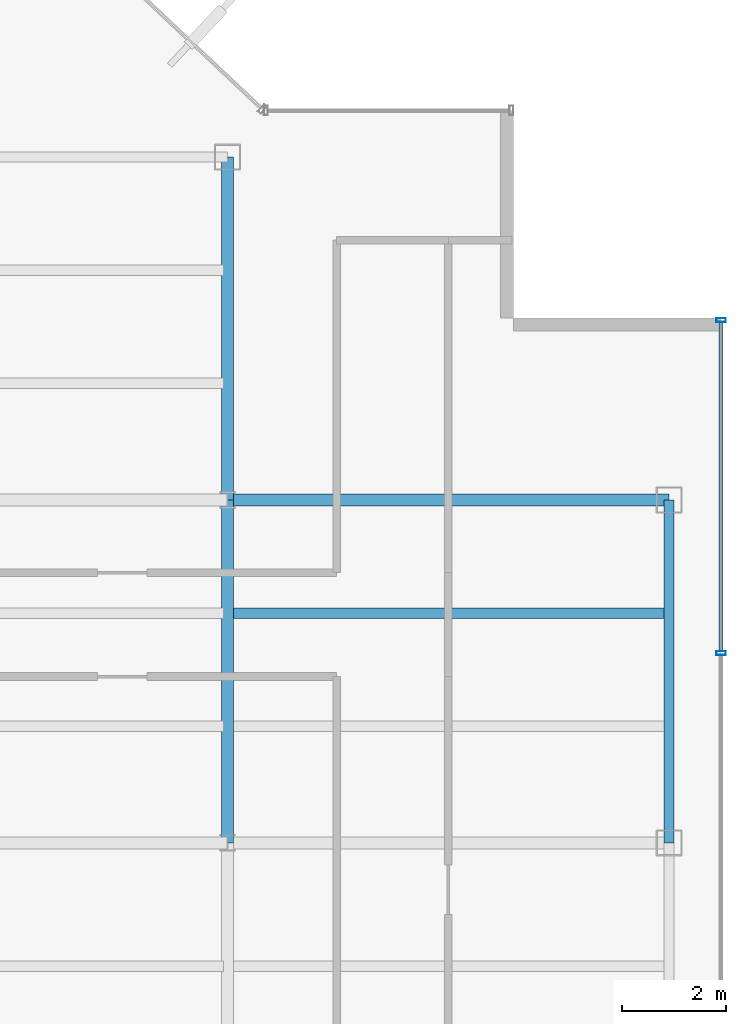
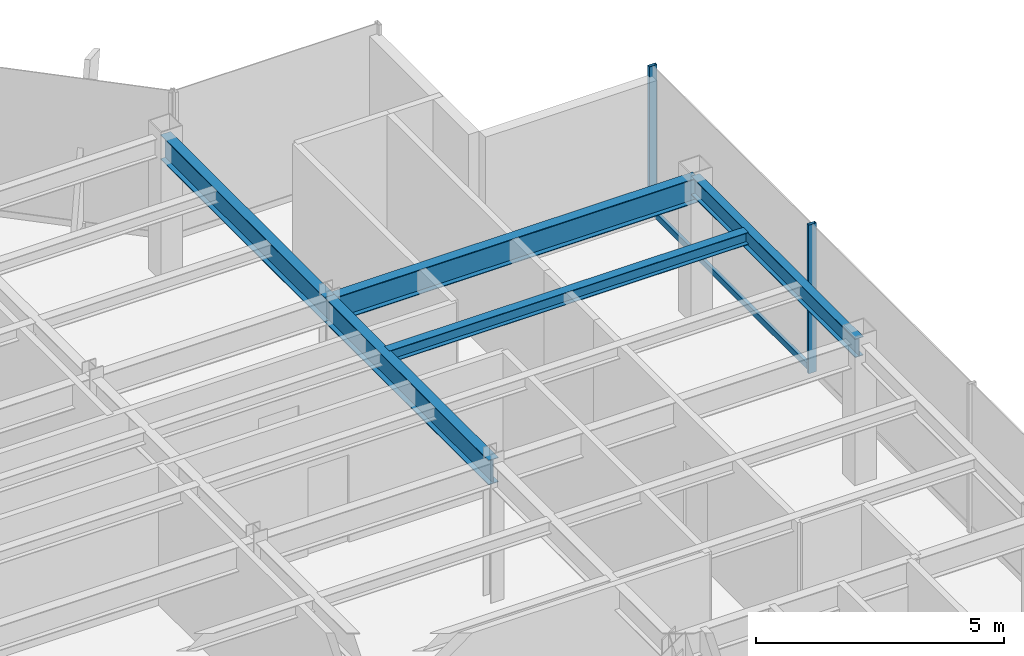
# One storey, part 11 of 22: 5 beams, 3 members, 1 element without a shape of its own.
"""IFC4 building model written with IfcOpenShell, lengths in metres."""

import ifcopenshell
import ifcopenshell.guid

model = None  # the IFC model being written
_history = None  # IfcOwnerHistory: only IFC2X3 demands one
_inside = {}  # id of a spatial element -> (the spatial element, [elements in it])
_under = {}  # id of a project, library or spatial element -> (it, [spatial elements below it])
_declared = {}  # id of a project -> (the project, [libraries it declares])
_typed = {}  # id of a type object -> (the type object, [elements of that type])
_made_of = {}  # id of a material, layer set ... -> (it, [elements and type objects made of it])


def new_model(schema):
    """Start an empty IFC model of exactly this schema.

    Asked for "IFC4X3", IfcOpenShell would pick the latest addendum, in which some entities
    have other attributes; the version numbers below select the first issue.
    IFC2X3 requires an IfcOwnerHistory on every rooted entity: one is made here for all.
    """
    global model, _history
    if schema == "IFC4X3":
        model = ifcopenshell.file(schema_version=(4, 3, 0, 0))
    else:
        model = ifcopenshell.file(schema=schema)
    _inside.clear()
    _under.clear()
    _declared.clear()
    _typed.clear()
    _made_of.clear()
    _history = None
    if model.schema == "IFC2X3":
        org = make("IfcOrganization", Name="unknown")
        user = make(
            "IfcPersonAndOrganization",
            ThePerson=make("IfcPerson", FamilyName="unknown"),
            TheOrganization=org,
        )
        app = make(
            "IfcApplication",
            ApplicationDeveloper=org,
            Version="unknown",
            ApplicationFullName="unknown",
            ApplicationIdentifier="unknown",
        )
        _history = make(
            "IfcOwnerHistory",
            OwningUser=user,
            OwningApplication=app,
            ChangeAction="ADDED",
            CreationDate=0,
        )
    return model


def make(cls, **values):
    """One entity of the class cls with the attributes given. An attribute that is None is left unset."""
    return model.create_entity(
        cls, **{name: value for name, value in values.items() if value is not None}
    )


def rooted(cls, **values):
    """An entity with a GlobalId (a new one), such as an element, a storey or a relation."""
    return make(cls, GlobalId=ifcopenshell.guid.new(), OwnerHistory=_history, **values)


def si_unit(unit_type, name, prefix=None):
    """IfcSIUnit, for example si_unit("LENGTHUNIT", "METRE", prefix="MILLI")."""
    return make("IfcSIUnit", UnitType=unit_type, Prefix=prefix, Name=name)


def derived_unit(unit_type, elements):
    """IfcDerivedUnit: a product of units, each with its exponent."""
    return make(
        "IfcDerivedUnit",
        Elements=[
            make("IfcDerivedUnitElement", Unit=unit, Exponent=power)
            for unit, power in elements
        ],
        UnitType=unit_type,
    )


def assignment(units):
    """IfcUnitAssignment: the units of a project."""
    return None if units is None else make("IfcUnitAssignment", Units=units)


def point(xyz):
    """IfcCartesianPoint."""
    return None if xyz is None else make("IfcCartesianPoint", Coordinates=xyz)


def direction(xyz):
    """IfcDirection."""
    return None if xyz is None else make("IfcDirection", DirectionRatios=xyz)


def frame(location, z_axis=None, x_axis=None):
    """IfcAxis2Placement3D, a coordinate frame: its origin and axes. An axis left out is left unset."""
    return make(
        "IfcAxis2Placement3D",
        Location=point(location),
        Axis=direction(z_axis),
        RefDirection=direction(x_axis),
    )


def frame_2d(location, x_axis=None):
    """IfcAxis2Placement2D, a coordinate frame in the plane: its origin and x axis."""
    return make(
        "IfcAxis2Placement2D", Location=point(location), RefDirection=direction(x_axis)
    )


def origin():
    """The frame at (0, 0, 0) with its axes left unset."""
    return frame((0.0, 0.0, 0.0))


def origin_2d():
    """The frame at (0, 0) in the plane with its x axis left unset."""
    return frame_2d((0.0, 0.0))


def place(relative_to, where):
    """IfcLocalPlacement: puts the frame where relative to a parent placement (None: the world)."""
    return make(
        "IfcLocalPlacement", PlacementRelTo=relative_to, RelativePlacement=where
    )


def context(
    kind, dimensions, precision=None, world=None, true_north=None, identifier=None
):
    """IfcGeometricRepresentationContext, for example the 3D "Model" context."""
    return make(
        "IfcGeometricRepresentationContext",
        ContextIdentifier=identifier,
        ContextType=kind,
        CoordinateSpaceDimension=dimensions,
        Precision=precision,
        WorldCoordinateSystem=world,
        TrueNorth=true_north,
    )


def subcontext(parent, identifier, kind, view, scale=None):
    """IfcGeometricRepresentationSubContext, for example "Body" below "Model"."""
    return make(
        "IfcGeometricRepresentationSubContext",
        ContextIdentifier=identifier,
        ContextType=kind,
        ParentContext=parent,
        TargetScale=scale,
        TargetView=view,
    )


def project(units=None, contexts=None):
    """IfcProject with its units and contexts."""
    return rooted(
        "IfcProject",
        Name="project",
        RepresentationContexts=contexts,
        UnitsInContext=assignment(units),
    )


def spatial(cls, under=None, at=None, **own):
    """A site, building, storey or space (cls), placed at a placement, below another one or the project."""
    s = rooted(cls, ObjectPlacement=at, **own)
    if under is not None:
        _under.setdefault(under.id(), (under, []))[1].append(s)
    return s


def profile(cls, at=None, kind="AREA", **sizes):
    """A parametric profile (cls). Its sizes go by their IFC names, for example OverallWidth=200.0."""
    return make(cls, ProfileType=kind, Position=at, **sizes)


def hollow_rectangle(**sizes):
    """IfcRectangleHollowProfileDef."""
    return profile("IfcRectangleHollowProfileDef", **sizes)


def i_section(**sizes):
    """IfcIShapeProfileDef."""
    return profile("IfcIShapeProfileDef", **sizes)


def extrude(swept, where, along, depth):
    """IfcExtrudedAreaSolid: the profile swept, set in the frame where, extruded along a direction by depth."""
    return make(
        "IfcExtrudedAreaSolid",
        SweptArea=swept,
        Position=where,
        ExtrudedDirection=direction(along),
        Depth=depth,
    )


def shape(context_of_items, identifier, shape_type, items):
    """IfcShapeRepresentation: the items that make up one representation, for example the "Body"."""
    return make(
        "IfcShapeRepresentation",
        ContextOfItems=context_of_items,
        RepresentationIdentifier=identifier,
        RepresentationType=shape_type,
        Items=items,
    )


def source(mapping_origin, context_of_items, identifier, shape_type, items):
    """IfcRepresentationMap: a shape defined once, which mapped items show again and again."""
    return make(
        "IfcRepresentationMap",
        MappingOrigin=mapping_origin,
        MappedRepresentation=shape(context_of_items, identifier, shape_type, items),
    )


def transform(
    local_origin,
    x_axis=None,
    y_axis=None,
    z_axis=None,
    scale=None,
    scale2=None,
    scale3=None,
    uniform=True,
):
    """IfcCartesianTransformationOperator3D, or its non-uniform kind. x_axis, y_axis, z_axis: its Axis1, 2, 3."""
    if uniform:
        return make(
            "IfcCartesianTransformationOperator3D",
            Axis1=direction(x_axis),
            Axis2=direction(y_axis),
            LocalOrigin=point(local_origin),
            Scale=scale,
            Axis3=direction(z_axis),
        )
    return make(
        "IfcCartesianTransformationOperator3DnonUniform",
        Axis1=direction(x_axis),
        Axis2=direction(y_axis),
        LocalOrigin=point(local_origin),
        Scale=scale,
        Axis3=direction(z_axis),
        Scale2=scale2,
        Scale3=scale3,
    )


def mapped(mapping_source, mapping_target):
    """IfcMappedItem: shows the shape of a source again, moved by a transform."""
    return make(
        "IfcMappedItem", MappingSource=mapping_source, MappingTarget=mapping_target
    )


def material(Name=None, Category=None):
    """IfcMaterial."""
    return make("IfcMaterial", Name=Name, Category=Category)


def material_profile(
    of_material, cross_section, Name=None, Category=None, Priority=None
):
    """IfcMaterialProfile: a cross section and its material."""
    return make(
        "IfcMaterialProfile",
        Name=Name,
        Material=of_material,
        Profile=cross_section,
        Priority=Priority,
        Category=Category,
    )


def profile_set(profiles, Name=None, composite=None):
    """IfcMaterialProfileSet."""
    return make(
        "IfcMaterialProfileSet",
        Name=Name,
        MaterialProfiles=profiles,
        CompositeProfile=composite,
    )


def made_of(thing, what):
    """Note that an element or type object is made of a material, layer set ...; save() writes the relation."""
    if what is not None:
        _made_of.setdefault(what.id(), (what, []))[1].append(thing)
    return thing


def type_object(cls, material=None, **own):
    """A type object (cls), such as IfcWallType, which elements share."""
    return made_of(rooted(cls, **own), material)


def element(
    cls,
    number,
    at=None,
    inside=None,
    cuts=None,
    type_object=None,
    material=None,
    context=None,
    identifier="Body",
    shape_type=None,
    held_by="IfcProductDefinitionShape",
    body=None,
    shapes=None,
    **own,
):
    """One element of the class cls, such as IfcWall. Its Tag is "e" and its number.

    at: its placement. inside: the storey or other place that contains it. cuts: it is an
    opening in that element (IfcRelVoidsElement). A single representation is given by context,
    identifier, shape_type and body (its items); several are given by shapes. held_by: the class
    of the entity that holds the representations. save() writes the other relations.
    """
    e = rooted(cls, Tag="e%d" % number, ObjectPlacement=at, **own)
    if body is not None:
        shapes = [shape(context, identifier, shape_type, body)]
    if shapes is not None:
        e.Representation = make(held_by, Representations=shapes)
    if inside is not None:
        _inside.setdefault(inside.id(), (inside, []))[1].append(e)
    if cuts is not None:
        rooted(
            "IfcRelVoidsElement", RelatingBuildingElement=cuts, RelatedOpeningElement=e
        )
    if type_object is not None:
        _typed.setdefault(type_object.id(), (type_object, []))[1].append(e)
    return made_of(e, material)


def aggregate(whole, parts):
    """IfcRelAggregates: a whole, such as a stair, and the parts it consists of."""
    return rooted("IfcRelAggregates", RelatingObject=whole, RelatedObjects=parts)


def save(model, path):
    """Write the relations noted so far, then the file.

    IfcRelAggregates (storeys below a building ...), IfcRelContainedInSpatialStructure (elements
    in a storey), IfcRelDefinesByType, IfcRelAssociatesMaterial and IfcRelDeclares: one each for
    every whole, place, type object, material and project.
    """
    for whole, parts in _under.values():
        aggregate(whole, parts)
    for where, things in _inside.values():
        rooted(
            "IfcRelContainedInSpatialStructure",
            RelatedElements=things,
            RelatingStructure=where,
        )
    for kind, things in _typed.values():
        rooted("IfcRelDefinesByType", RelatedObjects=things, RelatingType=kind)
    for what, things in _made_of.values():
        rooted("IfcRelAssociatesMaterial", RelatedObjects=things, RelatingMaterial=what)
    for by, libraries in _declared.values():
        rooted("IfcRelDeclares", RelatingContext=by, RelatedDefinitions=libraries)
    model.write(path)


model = new_model("IFC4")

# Units and contexts
model_context = context("Model", 3, precision=1e-05, world=origin(), true_north=direction((0.0, 1.0)))
body_context = subcontext(model_context, "Body", "Model", "MODEL_VIEW")
ifc_project = project(units=[si_unit("LENGTHUNIT", "METRE"), si_unit("AREAUNIT", "SQUARE_METRE"), si_unit("VOLUMEUNIT", "CUBIC_METRE"), si_unit("PLANEANGLEUNIT", "RADIAN"), si_unit("MASSUNIT", "GRAM", prefix="KILO"), derived_unit("THERMALTRANSMITTANCEUNIT", [(si_unit("POWERUNIT", "WATT"), 1), (si_unit("LENGTHUNIT", "METRE"), -2), (si_unit("THERMODYNAMICTEMPERATUREUNIT", "KELVIN"), -1)])], contexts=[model_context])

# Site, building, storey
site_placement = place(None, origin())
site = spatial("IfcSite", under=ifc_project, at=site_placement, CompositionType="ELEMENT")
building_placement = place(site_placement, origin())
building = spatial("IfcBuilding", under=site, at=building_placement, Name="Skarnbrae Concourse Arena and Tower", CompositionType="ELEMENT")
storey_placement = place(building_placement, frame((0.0, 0.0, 258.800048828125)))
storey = spatial("IfcBuildingStorey", under=building, at=storey_placement, Name="L67", CompositionType="ELEMENT", Elevation=258.800048828125)

# Beams
ifc_material_1 = material(Name="Steel CSA G40.21 350W", Category="steel")
ifc_material_profile_1 = material_profile(ifc_material_1, i_section(OverallWidth=0.22802734375, OverallDepth=0.60791015625, WebThickness=0.01123046875, FlangeThickness=0.017333984375, at=origin_2d()), Name="W610X113")
ifc_profile_set_1 = profile_set([ifc_material_profile_1], Name="Steel CSA G40.21 350W")
beam_type_1 = type_object("IfcBeamType", Name="BM-GIRD-W610X113", PredefinedType="BEAM", material=ifc_profile_set_1)
shared_shape_1 = source(origin(), body_context, "Body", "SweptSolid", [
    extrude(i_section(OverallWidth=0.22802734375, OverallDepth=0.60791015625, WebThickness=0.01123046875, FlangeThickness=0.017333984375, at=origin_2d()), origin(), (0.0, 0.0, 1.0), 6.60009765625),
])
beam_1_placement = place(storey_placement, frame((33.5, 21.199951171875, 3.095947265625), z_axis=(0.0, 1.0, 0.0), x_axis=(-1.0, 0.0, 0.0)))
element("IfcBeam", 1, at=beam_1_placement, inside=storey, type_object=beam_type_1, Name="L67 Primary N-S girder X33.5-2", PredefinedType="BEAM", context=body_context, shape_type="MappedRepresentation", body=[
    mapped(shared_shape_1, transform((0.0, 0.0, 0.0))),
])
shared_shape_2 = source(origin(), body_context, "Body", "SweptSolid", [
    extrude(i_section(OverallWidth=0.22802734375, OverallDepth=0.60791015625, WebThickness=0.01123046875, FlangeThickness=0.017333984375, at=origin_2d()), origin(), (0.0, 0.0, 1.0), 8.5),
])
beam_2_placement = place(storey_placement, frame((33.5, 27.800048828125, 3.095947265625), z_axis=(1.0, 0.0, 0.0), x_axis=(0.0, 1.0, 0.0)))
element("IfcBeam", 2, at=beam_2_placement, inside=storey, type_object=beam_type_1, Name="L67 Primary E-W girder Y27.8-6", PredefinedType="BEAM", context=body_context, shape_type="MappedRepresentation", body=[
    mapped(shared_shape_2, transform((0.0, 0.0, 0.0))),
])
ifc_material_profile_2 = material_profile(ifc_material_1, i_section(OverallWidth=0.19091796875, OverallDepth=0.4599609375, WebThickness=0.010009765625, FlangeThickness=0.01611328125, at=origin_2d()), Name="W460X82")
ifc_profile_set_2 = profile_set([ifc_material_profile_2], Name="Steel CSA G40.21 350W")
beam_type_2 = type_object("IfcBeamType", Name="BM-SPAN-W460X82", PredefinedType="SPANDREL", material=ifc_profile_set_2)
shared_shape_3 = source(origin(), body_context, "Body", "SweptSolid", [
    extrude(i_section(OverallWidth=0.19091796875, OverallDepth=0.4599609375, WebThickness=0.010009765625, FlangeThickness=0.01611328125, at=origin_2d()), origin(), (0.0, 0.0, 1.0), 6.60009765625),
])
beam_3_placement = place(storey_placement, frame((42.0, 21.199951171875, 3.169921875), z_axis=(0.0, 1.0, 0.0), x_axis=(-1.0, 0.0, 0.0)))
element("IfcBeam", 3, at=beam_3_placement, inside=storey, type_object=beam_type_2, Name="L67 Perimeter spandrel X42.0-3", PredefinedType="SPANDREL", context=body_context, shape_type="MappedRepresentation", body=[
    mapped(shared_shape_3, transform((0.0, 0.0, 0.0))),
])
shared_shape_4 = source(origin(), body_context, "Body", "SweptSolid", [
    extrude(i_section(OverallWidth=0.22802734375, OverallDepth=0.60791015625, WebThickness=0.01123046875, FlangeThickness=0.017333984375, at=origin_2d()), origin(), (0.0, 0.0, 1.0), 6.599853515625),
])
beam_4_placement = place(storey_placement, frame((33.5, 27.800048828125, 3.095947265625), z_axis=(0.0, 1.0, 0.0), x_axis=(-1.0, 0.0, 0.0)))
element("IfcBeam", 4, at=beam_4_placement, inside=storey, type_object=beam_type_1, Name="L67 Primary N-S girder X33.5-3", PredefinedType="BEAM", context=body_context, shape_type="MappedRepresentation", body=[
    mapped(shared_shape_4, transform((0.0, 0.0, 0.0))),
])
ifc_material_profile_3 = material_profile(ifc_material_1, i_section(OverallWidth=0.202880859375, OverallDepth=0.302978515625, WebThickness=0.007568359375, FlangeThickness=0.01318359375, at=origin_2d()), Name="W310X60")
ifc_profile_set_3 = profile_set([ifc_material_profile_3], Name="Steel CSA G40.21 350W")
beam_type_3 = type_object("IfcBeamType", Name="BM-JOIST-W310X60", PredefinedType="JOIST", material=ifc_profile_set_3)
shared_shape_5 = source(origin(), body_context, "Body", "SweptSolid", [
    extrude(i_section(OverallWidth=0.202880859375, OverallDepth=0.302978515625, WebThickness=0.007568359375, FlangeThickness=0.01318359375, at=origin_2d()), origin(), (0.0, 0.0, 1.0), 8.33984375),
])
beam_5_placement = place(storey_placement, frame((33.580078125, 25.6220703125, 3.24853515625), z_axis=(1.0, 0.0, 0.0), x_axis=(0.0, 1.0, 0.0)))
element("IfcBeam", 5, at=beam_5_placement, inside=storey, type_object=beam_type_3, Name="L67 Secondary floor joist 2.2.6", PredefinedType="JOIST", context=body_context, shape_type="MappedRepresentation", body=[
    mapped(shared_shape_5, transform((0.0, 0.0, 0.0))),
])

# Curtain wall, members
ifc_material_2 = material(Name="Bronze anodised aluminium 6063-T6", Category="aluminium")
curtain_wall_type = type_object("IfcCurtainWallType", Name="CW-SYS-05-HIGHZONE", PredefinedType="USERDEFINED", material=ifc_material_2)
curtain_wall_placement = place(storey_placement, origin())
curtain_wall = element("IfcCurtainWall", 6, at=curtain_wall_placement, inside=storey, type_object=curtain_wall_type, Name="L67 Unitised curtain wall CW-L67-E04", ObjectType="UNITISED CURTAIN WALL", PredefinedType="USERDEFINED")
ifc_material_profile_4 = material_profile(ifc_material_2, hollow_rectangle(XDim=0.074951171875, YDim=0.179931640625, WallThickness=0.00390625, at=origin_2d()), Name="ALU-MULL-75X180")
ifc_profile_set_4 = profile_set([ifc_material_profile_4], Name="Bronze anodised aluminium 6063-T6")
member_type_1 = type_object("IfcMemberType", Name="CWM-CW-05", PredefinedType="MULLION", material=ifc_profile_set_4)
shared_shape_6 = source(origin(), body_context, "Body", "SweptSolid", [
    extrude(hollow_rectangle(XDim=0.074951171875, YDim=0.179931640625, WallThickness=0.00390625, at=origin_2d()), origin(), (0.0, 0.0, 1.0), 3.64990234375),
])
member_1_placement = place(storey_placement, frame((43.0, 24.85009765625, 0.0), z_axis=(0.0, 0.0, 1.0), x_axis=(0.0, 1.0, 0.0)))
member_1 = element("IfcMember", 7, at=member_1_placement, type_object=member_type_1, Name="CW-L67-E04 Mullion 4", PredefinedType="MULLION", context=body_context, shape_type="MappedRepresentation", body=[
    mapped(shared_shape_6, transform((0.0, 0.0, 0.0))),
])
member_2_placement = place(storey_placement, frame((43.0, 31.262451171875, 0.0), z_axis=(0.0, 0.0, 1.0), x_axis=(0.0, 1.0, 0.0)))
member_2 = element("IfcMember", 8, at=member_2_placement, type_object=member_type_1, Name="CW-L67-E04 Mullion 5", PredefinedType="MULLION", context=body_context, shape_type="MappedRepresentation", body=[
    mapped(shared_shape_6, transform((0.0, 0.0, 0.0))),
])
ifc_material_profile_5 = material_profile(ifc_material_2, hollow_rectangle(XDim=0.074951171875, YDim=0.14990234375, WallThickness=0.00390625, at=origin_2d()), Name="ALU-TRAN-75X150")
ifc_profile_set_5 = profile_set([ifc_material_profile_5], Name="Bronze anodised aluminium 6063-T6")
member_type_2 = type_object("IfcMemberType", Name="CWT-CW-05", PredefinedType="USERDEFINED", material=ifc_profile_set_5)
shared_shape_7 = source(origin(), body_context, "Body", "SweptSolid", [
    extrude(hollow_rectangle(XDim=0.074951171875, YDim=0.14990234375, WallThickness=0.00390625, at=origin_2d()), origin(), (0.0, 0.0, 1.0), 6.337646484375),
])
member_3_placement = place(storey_placement, frame((43.0, 24.887451171875, 0.074951171875), z_axis=(0.0, 1.0, 0.0), x_axis=(-1.0, 0.0, 0.0)))
member_3 = element("IfcMember", 9, at=member_3_placement, type_object=member_type_2, Name="CW-L67-E04 Transom 4", ObjectType="TRANSOM", PredefinedType="USERDEFINED", context=body_context, shape_type="MappedRepresentation", body=[
    mapped(shared_shape_7, transform((0.0, 0.0, 0.0))),
])
aggregate(curtain_wall, [member_1, member_2, member_3])

save(model, "model.ifc")
